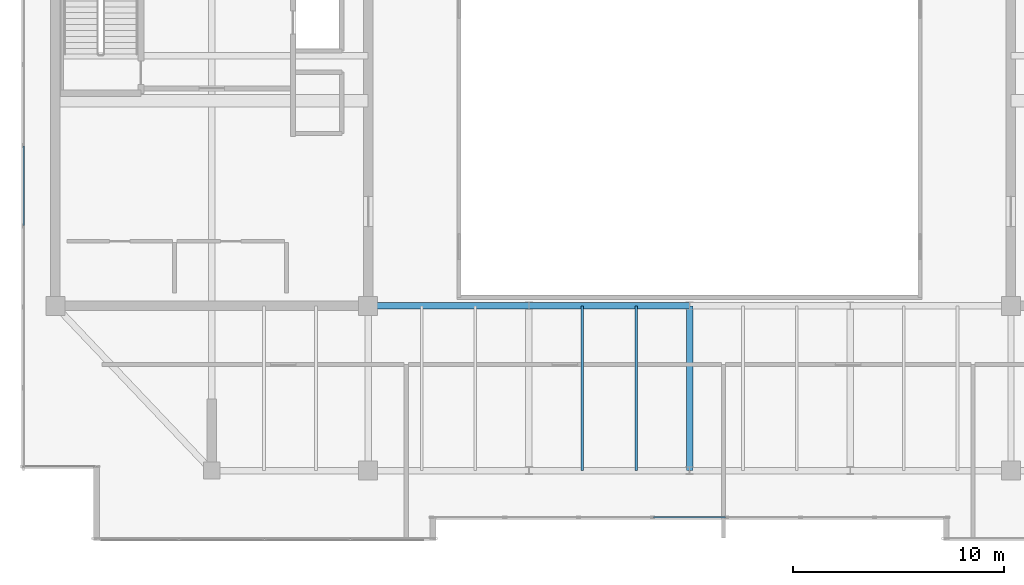
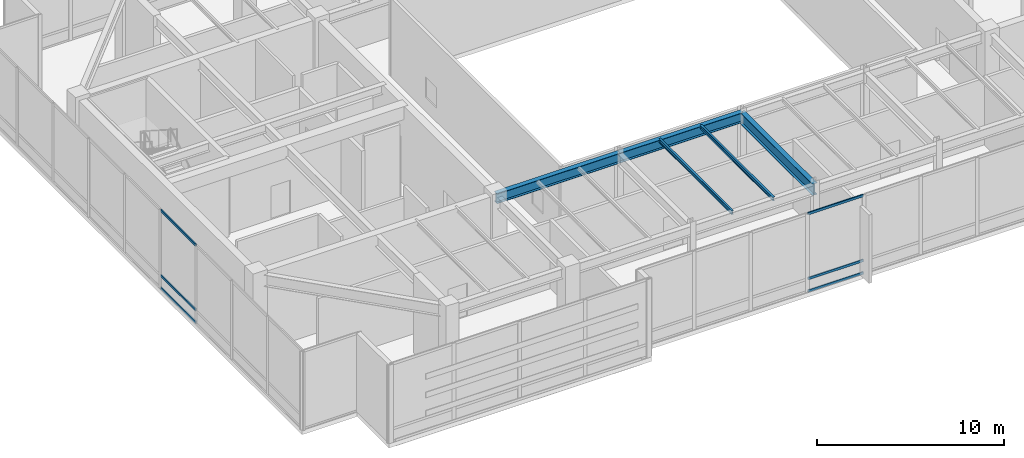
# One storey, part 8 of 30: 6 members, 5 beams, 2 elements without a shape of their own.
"""IFC4 building model written with IfcOpenShell, lengths in metres."""

import ifcopenshell
import ifcopenshell.guid

model = None  # the IFC model being written
_history = None  # IfcOwnerHistory: only IFC2X3 demands one
_inside = {}  # id of a spatial element -> (the spatial element, [elements in it])
_under = {}  # id of a project, library or spatial element -> (it, [spatial elements below it])
_declared = {}  # id of a project -> (the project, [libraries it declares])
_typed = {}  # id of a type object -> (the type object, [elements of that type])
_made_of = {}  # id of a material, layer set ... -> (it, [elements and type objects made of it])


def new_model(schema):
    """Start an empty IFC model of exactly this schema.

    Asked for "IFC4X3", IfcOpenShell would pick the latest addendum, in which some entities
    have other attributes; the version numbers below select the first issue.
    IFC2X3 requires an IfcOwnerHistory on every rooted entity: one is made here for all.
    """
    global model, _history
    if schema == "IFC4X3":
        model = ifcopenshell.file(schema_version=(4, 3, 0, 0))
    else:
        model = ifcopenshell.file(schema=schema)
    _inside.clear()
    _under.clear()
    _declared.clear()
    _typed.clear()
    _made_of.clear()
    _history = None
    if model.schema == "IFC2X3":
        org = make("IfcOrganization", Name="unknown")
        user = make(
            "IfcPersonAndOrganization",
            ThePerson=make("IfcPerson", FamilyName="unknown"),
            TheOrganization=org,
        )
        app = make(
            "IfcApplication",
            ApplicationDeveloper=org,
            Version="unknown",
            ApplicationFullName="unknown",
            ApplicationIdentifier="unknown",
        )
        _history = make(
            "IfcOwnerHistory",
            OwningUser=user,
            OwningApplication=app,
            ChangeAction="ADDED",
            CreationDate=0,
        )
    return model


def make(cls, **values):
    """One entity of the class cls with the attributes given. An attribute that is None is left unset."""
    return model.create_entity(
        cls, **{name: value for name, value in values.items() if value is not None}
    )


def rooted(cls, **values):
    """An entity with a GlobalId (a new one), such as an element, a storey or a relation."""
    return make(cls, GlobalId=ifcopenshell.guid.new(), OwnerHistory=_history, **values)


def si_unit(unit_type, name, prefix=None):
    """IfcSIUnit, for example si_unit("LENGTHUNIT", "METRE", prefix="MILLI")."""
    return make("IfcSIUnit", UnitType=unit_type, Prefix=prefix, Name=name)


def assignment(units):
    """IfcUnitAssignment: the units of a project."""
    return None if units is None else make("IfcUnitAssignment", Units=units)


def point(xyz):
    """IfcCartesianPoint."""
    return None if xyz is None else make("IfcCartesianPoint", Coordinates=xyz)


def direction(xyz):
    """IfcDirection."""
    return None if xyz is None else make("IfcDirection", DirectionRatios=xyz)


def frame(location, z_axis=None, x_axis=None):
    """IfcAxis2Placement3D, a coordinate frame: its origin and axes. An axis left out is left unset."""
    return make(
        "IfcAxis2Placement3D",
        Location=point(location),
        Axis=direction(z_axis),
        RefDirection=direction(x_axis),
    )


def frame_2d(location, x_axis=None):
    """IfcAxis2Placement2D, a coordinate frame in the plane: its origin and x axis."""
    return make(
        "IfcAxis2Placement2D", Location=point(location), RefDirection=direction(x_axis)
    )


def origin():
    """The frame at (0, 0, 0) with its axes left unset."""
    return frame((0.0, 0.0, 0.0))


def origin_2d():
    """The frame at (0, 0) in the plane with its x axis left unset."""
    return frame_2d((0.0, 0.0))


def place(relative_to, where):
    """IfcLocalPlacement: puts the frame where relative to a parent placement (None: the world)."""
    return make(
        "IfcLocalPlacement", PlacementRelTo=relative_to, RelativePlacement=where
    )


def context(
    kind, dimensions, precision=None, world=None, true_north=None, identifier=None
):
    """IfcGeometricRepresentationContext, for example the 3D "Model" context."""
    return make(
        "IfcGeometricRepresentationContext",
        ContextIdentifier=identifier,
        ContextType=kind,
        CoordinateSpaceDimension=dimensions,
        Precision=precision,
        WorldCoordinateSystem=world,
        TrueNorth=true_north,
    )


def subcontext(parent, identifier, kind, view, scale=None):
    """IfcGeometricRepresentationSubContext, for example "Body" below "Model"."""
    return make(
        "IfcGeometricRepresentationSubContext",
        ContextIdentifier=identifier,
        ContextType=kind,
        ParentContext=parent,
        TargetScale=scale,
        TargetView=view,
    )


def project(units=None, contexts=None):
    """IfcProject with its units and contexts."""
    return rooted(
        "IfcProject",
        Name="project",
        RepresentationContexts=contexts,
        UnitsInContext=assignment(units),
    )


def spatial(cls, under=None, at=None, **own):
    """A site, building, storey or space (cls), placed at a placement, below another one or the project."""
    s = rooted(cls, ObjectPlacement=at, **own)
    if under is not None:
        _under.setdefault(under.id(), (under, []))[1].append(s)
    return s


def profile(cls, at=None, kind="AREA", **sizes):
    """A parametric profile (cls). Its sizes go by their IFC names, for example OverallWidth=200.0."""
    return make(cls, ProfileType=kind, Position=at, **sizes)


def hollow_rectangle(**sizes):
    """IfcRectangleHollowProfileDef."""
    return profile("IfcRectangleHollowProfileDef", **sizes)


def i_section(**sizes):
    """IfcIShapeProfileDef."""
    return profile("IfcIShapeProfileDef", **sizes)


def extrude(swept, where, along, depth):
    """IfcExtrudedAreaSolid: the profile swept, set in the frame where, extruded along a direction by depth."""
    return make(
        "IfcExtrudedAreaSolid",
        SweptArea=swept,
        Position=where,
        ExtrudedDirection=direction(along),
        Depth=depth,
    )


def shape(context_of_items, identifier, shape_type, items):
    """IfcShapeRepresentation: the items that make up one representation, for example the "Body"."""
    return make(
        "IfcShapeRepresentation",
        ContextOfItems=context_of_items,
        RepresentationIdentifier=identifier,
        RepresentationType=shape_type,
        Items=items,
    )


def source(mapping_origin, context_of_items, identifier, shape_type, items):
    """IfcRepresentationMap: a shape defined once, which mapped items show again and again."""
    return make(
        "IfcRepresentationMap",
        MappingOrigin=mapping_origin,
        MappedRepresentation=shape(context_of_items, identifier, shape_type, items),
    )


def transform(
    local_origin,
    x_axis=None,
    y_axis=None,
    z_axis=None,
    scale=None,
    scale2=None,
    scale3=None,
    uniform=True,
):
    """IfcCartesianTransformationOperator3D, or its non-uniform kind. x_axis, y_axis, z_axis: its Axis1, 2, 3."""
    if uniform:
        return make(
            "IfcCartesianTransformationOperator3D",
            Axis1=direction(x_axis),
            Axis2=direction(y_axis),
            LocalOrigin=point(local_origin),
            Scale=scale,
            Axis3=direction(z_axis),
        )
    return make(
        "IfcCartesianTransformationOperator3DnonUniform",
        Axis1=direction(x_axis),
        Axis2=direction(y_axis),
        LocalOrigin=point(local_origin),
        Scale=scale,
        Axis3=direction(z_axis),
        Scale2=scale2,
        Scale3=scale3,
    )


def mapped(mapping_source, mapping_target):
    """IfcMappedItem: shows the shape of a source again, moved by a transform."""
    return make(
        "IfcMappedItem", MappingSource=mapping_source, MappingTarget=mapping_target
    )


def material(Name=None, Category=None):
    """IfcMaterial."""
    return make("IfcMaterial", Name=Name, Category=Category)


def layer(
    of_material, thickness, ventilated=None, Name=None, Category=None, Priority=None
):
    """IfcMaterialLayer: one layer of a wall or slab, of a material (None: an air gap)."""
    return make(
        "IfcMaterialLayer",
        Material=of_material,
        LayerThickness=thickness,
        IsVentilated=ventilated,
        Name=Name,
        Category=Category,
        Priority=Priority,
    )


def layer_set(layers, Name=None):
    """IfcMaterialLayerSet."""
    return make("IfcMaterialLayerSet", MaterialLayers=layers, LayerSetName=Name)


def material_profile(
    of_material, cross_section, Name=None, Category=None, Priority=None
):
    """IfcMaterialProfile: a cross section and its material."""
    return make(
        "IfcMaterialProfile",
        Name=Name,
        Material=of_material,
        Profile=cross_section,
        Priority=Priority,
        Category=Category,
    )


def profile_set(profiles, Name=None, composite=None):
    """IfcMaterialProfileSet."""
    return make(
        "IfcMaterialProfileSet",
        Name=Name,
        MaterialProfiles=profiles,
        CompositeProfile=composite,
    )


def made_of(thing, what):
    """Note that an element or type object is made of a material, layer set ...; save() writes the relation."""
    if what is not None:
        _made_of.setdefault(what.id(), (what, []))[1].append(thing)
    return thing


def type_object(cls, material=None, **own):
    """A type object (cls), such as IfcWallType, which elements share."""
    return made_of(rooted(cls, **own), material)


def type_shapes(of_type, sources):
    """Give a type object the sources (RepresentationMaps) that its elements show as mapped items."""
    of_type.RepresentationMaps = sources


def element(
    cls,
    number,
    at=None,
    inside=None,
    cuts=None,
    type_object=None,
    material=None,
    context=None,
    identifier="Body",
    shape_type=None,
    held_by="IfcProductDefinitionShape",
    body=None,
    shapes=None,
    **own,
):
    """One element of the class cls, such as IfcWall. Its Tag is "e" and its number.

    at: its placement. inside: the storey or other place that contains it. cuts: it is an
    opening in that element (IfcRelVoidsElement). A single representation is given by context,
    identifier, shape_type and body (its items); several are given by shapes. held_by: the class
    of the entity that holds the representations. save() writes the other relations.
    """
    e = rooted(cls, Tag="e%d" % number, ObjectPlacement=at, **own)
    if body is not None:
        shapes = [shape(context, identifier, shape_type, body)]
    if shapes is not None:
        e.Representation = make(held_by, Representations=shapes)
    if inside is not None:
        _inside.setdefault(inside.id(), (inside, []))[1].append(e)
    if cuts is not None:
        rooted(
            "IfcRelVoidsElement", RelatingBuildingElement=cuts, RelatedOpeningElement=e
        )
    if type_object is not None:
        _typed.setdefault(type_object.id(), (type_object, []))[1].append(e)
    return made_of(e, material)


def aggregate(whole, parts):
    """IfcRelAggregates: a whole, such as a stair, and the parts it consists of."""
    return rooted("IfcRelAggregates", RelatingObject=whole, RelatedObjects=parts)


def save(model, path):
    """Write the relations noted so far, then the file.

    IfcRelAggregates (storeys below a building ...), IfcRelContainedInSpatialStructure (elements
    in a storey), IfcRelDefinesByType, IfcRelAssociatesMaterial and IfcRelDeclares: one each for
    every whole, place, type object, material and project.
    """
    for whole, parts in _under.values():
        aggregate(whole, parts)
    for where, things in _inside.values():
        rooted(
            "IfcRelContainedInSpatialStructure",
            RelatedElements=things,
            RelatingStructure=where,
        )
    for kind, things in _typed.values():
        rooted("IfcRelDefinesByType", RelatedObjects=things, RelatingType=kind)
    for what, things in _made_of.values():
        rooted("IfcRelAssociatesMaterial", RelatedObjects=things, RelatingMaterial=what)
    for by, libraries in _declared.values():
        rooted("IfcRelDeclares", RelatingContext=by, RelatedDefinitions=libraries)
    model.write(path)


model = new_model("IFC4")

# Units and contexts
model_context = context("Model", 3, precision=1e-05, world=origin(), true_north=direction((0.0, 1.0)))
body_context = subcontext(model_context, "Body", "Model", "MODEL_VIEW")
ifc_project = project(units=[si_unit("LENGTHUNIT", "METRE"), si_unit("AREAUNIT", "SQUARE_METRE"), si_unit("VOLUMEUNIT", "CUBIC_METRE"), si_unit("PLANEANGLEUNIT", "RADIAN"), si_unit("MASSUNIT", "GRAM", prefix="KILO")], contexts=[model_context])

# Site, building, storey
site_placement = place(None, origin())
site = spatial("IfcSite", under=ifc_project, at=site_placement, CompositionType="ELEMENT")
building_placement = place(site_placement, origin())
building = spatial("IfcBuilding", under=site, at=building_placement, Name="Haelvirn Gate Laboratories", CompositionType="ELEMENT")
storey_placement = place(building_placement, frame((0.0, 0.0, 332.39990234375)))
storey = spatial("IfcBuildingStorey", under=building, at=storey_placement, Name="L79", CompositionType="ELEMENT", Elevation=332.39990234375)

# Beams
ifc_material_1 = material(Name="Steel SM355", Category="steel")
ifc_material_profile_1 = material_profile(ifc_material_1, i_section(OverallWidth=0.300048828125, OverallDepth=0.75, WebThickness=0.013916015625, FlangeThickness=0.02392578125, at=origin_2d()), Name="H-750x300x14x24")
ifc_profile_set_1 = profile_set([ifc_material_profile_1], Name="Steel SM355")
beam_type_1 = type_object("IfcBeamType", Name="BM-G-750", PredefinedType="BEAM", material=ifc_profile_set_1)
shared_shape_1 = source(origin(), body_context, "Body", "SweptSolid", [
    extrude(i_section(OverallWidth=0.300048828125, OverallDepth=0.75, WebThickness=0.013916015625, FlangeThickness=0.02392578125, at=origin_2d()), origin(), (0.0, 0.0, 1.0), 7.800048828125),
])
type_shapes(beam_type_1, [shared_shape_1])
beam_1_placement = place(storey_placement, frame((37.39990234375, 7.0, 4.7451171875), z_axis=(0.0, 1.0, 0.0), x_axis=(-1.0, 0.0, 0.0)))
element("IfcBeam", 1, at=beam_1_placement, inside=storey, type_object=beam_type_1, Name="L79 Frame Girder X37.4 (7.0-14.8)", PredefinedType="BEAM", context=body_context, shape_type="MappedRepresentation", body=[
    mapped(shared_shape_1, transform((0.0, 0.0, 0.0), scale=1.0)),
])
ifc_material_profile_2 = material_profile(ifc_material_1, i_section(OverallWidth=0.300048828125, OverallDepth=0.64990234375, WebThickness=0.012939453125, FlangeThickness=0.02197265625, at=origin_2d()), Name="H-650x300x13x22")
ifc_profile_set_2 = profile_set([ifc_material_profile_2], Name="Steel SM355")
beam_type_2 = type_object("IfcBeamType", Name="BM-G-650", PredefinedType="BEAM", material=ifc_profile_set_2)
shared_shape_2 = source(origin(), body_context, "Body", "SweptSolid", [
    extrude(i_section(OverallWidth=0.300048828125, OverallDepth=0.64990234375, WebThickness=0.012939453125, FlangeThickness=0.02197265625, at=origin_2d()), origin(), (0.0, 0.0, 1.0), 7.60009765625),
])
beam_2_placement = place(storey_placement, frame((22.199951171875, 14.800048828125, 4.795166015625), z_axis=(1.0, 0.0, 0.0), x_axis=(0.0, 1.0, 0.0)))
element("IfcBeam", 2, at=beam_2_placement, inside=storey, type_object=beam_type_2, Name="L79 Primary Girder Y14.8 (22.2-29.8)", PredefinedType="BEAM", context=body_context, shape_type="MappedRepresentation", body=[
    mapped(shared_shape_2, transform((0.0, 0.0, 0.0), scale=1.0)),
])
shared_shape_3 = source(origin(), body_context, "Body", "SweptSolid", [
    extrude(i_section(OverallWidth=0.300048828125, OverallDepth=0.64990234375, WebThickness=0.012939453125, FlangeThickness=0.02197265625, at=origin_2d()), origin(), (0.0, 0.0, 1.0), 7.599853515625),
])
type_shapes(beam_type_2, [shared_shape_2, shared_shape_3])
beam_3_placement = place(storey_placement, frame((29.800048828125, 14.800048828125, 4.795166015625), z_axis=(1.0, 0.0, 0.0), x_axis=(0.0, 1.0, 0.0)))
element("IfcBeam", 3, at=beam_3_placement, inside=storey, type_object=beam_type_2, Name="L79 Primary Girder Y14.8 (29.8-37.4)", PredefinedType="BEAM", context=body_context, shape_type="MappedRepresentation", body=[
    mapped(shared_shape_3, transform((0.0, 0.0, 0.0), scale=1.0)),
])
ifc_material_profile_3 = material_profile(ifc_material_1, i_section(OverallWidth=0.125, OverallDepth=0.25, WebThickness=0.006103515625, FlangeThickness=0.009033203125, at=origin_2d()), Name="H-250x125x6x9")
ifc_profile_set_3 = profile_set([ifc_material_profile_3], Name="Steel SM355")
beam_type_3 = type_object("IfcBeamType", Name="BM-J-250", PredefinedType="JOIST", material=ifc_profile_set_3)
shared_shape_4 = source(origin(), body_context, "Body", "SweptSolid", [
    extrude(i_section(OverallWidth=0.125, OverallDepth=0.25, WebThickness=0.006103515625, FlangeThickness=0.009033203125, at=origin_2d()), origin(), (0.0, 0.0, 1.0), 7.800048828125),
])
type_shapes(beam_type_3, [shared_shape_4])
for number, where, z_axis, x_axis, name in (
    (4, (32.330078125, 7.0, 4.9951171875), (0.0, 1.0, 0.0), (-1.0, 0.0, 0.0), "L79 Composite Lab Joist South X32.33"),
    (5, (34.8701171875, 7.0, 4.9951171875), (0.0, 1.0, 0.0), (-1.0, 0.0, 0.0), "L79 Composite Lab Joist South X34.87"),
):
    element("IfcBeam", number, at=place(storey_placement, frame(where, z_axis=z_axis, x_axis=x_axis)), inside=storey, type_object=beam_type_3, Name=name, PredefinedType="JOIST", context=body_context, shape_type="MappedRepresentation", body=[
        mapped(shared_shape_4, transform((0.0, 0.0, 0.0), scale=1.0)),
    ])

# Curtain wall, members
ifc_material_2 = material(Name="Anodised bronze unitised aluminium & triple low-E glass", Category="aluminium")
ifc_layer = layer(ifc_material_2, 0.19189453125, Name="CW-SYS-6")
ifc_layer_set = layer_set([ifc_layer], Name="Anodised bronze unitised aluminium & triple low-E glass")
curtain_wall_type = type_object("IfcCurtainWallType", Name="CW-SYS-6", PredefinedType="NOTDEFINED", material=ifc_layer_set)
curtain_wall_1_placement = place(storey_placement, origin())
curtain_wall_1 = element("IfcCurtainWall", 6, at=curtain_wall_1_placement, inside=storey, type_object=curtain_wall_type, Name="L79 Unitised Curtain Wall CW-L79-P0-E02-1", PredefinedType="NOTDEFINED")
ifc_material_3 = material(Name="Extruded aluminium 6063-T6 (anodised bronze)", Category="aluminium")
ifc_material_profile_4 = material_profile(ifc_material_3, hollow_rectangle(XDim=0.070068359375, YDim=0.159912109375, WallThickness=0.0048828125, at=origin_2d()), Name="CWT-160x70x5")
ifc_profile_set_4 = profile_set([ifc_material_profile_4], Name="Extruded aluminium 6063-T6 (anodised bronze)")
member_type = type_object("IfcMemberType", Name="CWT-T160", PredefinedType="USERDEFINED", material=ifc_profile_set_4)
shared_shape_5 = source(origin(), body_context, "Body", "SweptSolid", [
    extrude(hollow_rectangle(XDim=0.070068359375, YDim=0.159912109375, WallThickness=0.0048828125, at=origin_2d()), origin(), (0.0, 0.0, 1.0), 3.417236328125),
])
member_1_placement = place(storey_placement, frame((35.69140625, 4.800048828125, 0.03515625), z_axis=(1.0, 0.0, 0.0), x_axis=(0.0, 1.0, 0.0)))
member_1 = element("IfcMember", 7, at=member_1_placement, type_object=member_type, Name="CW6 transom 4.1", ObjectType="TRANSOM", PredefinedType="USERDEFINED", context=body_context, shape_type="MappedRepresentation", body=[
    mapped(shared_shape_5, transform((0.0, 0.0, 0.0), scale=1.0)),
])
member_2_placement = place(storey_placement, frame((35.69140625, 4.800048828125, 0.85009765625), z_axis=(1.0, 0.0, 0.0), x_axis=(0.0, 1.0, 0.0)))
member_2 = element("IfcMember", 8, at=member_2_placement, type_object=member_type, Name="CW6 transom 4.2", ObjectType="TRANSOM", PredefinedType="USERDEFINED", context=body_context, shape_type="MappedRepresentation", body=[
    mapped(shared_shape_5, transform((0.0, 0.0, 0.0), scale=1.0)),
])
member_3_placement = place(storey_placement, frame((35.69140625, 4.800048828125, 5.085205078125), z_axis=(1.0, 0.0, 0.0), x_axis=(0.0, 1.0, 0.0)))
member_3 = element("IfcMember", 9, at=member_3_placement, type_object=member_type, Name="CW6 transom 4.3", ObjectType="TRANSOM", PredefinedType="USERDEFINED", context=body_context, shape_type="MappedRepresentation", body=[
    mapped(shared_shape_5, transform((0.0, 0.0, 0.0), scale=1.0)),
])
aggregate(curtain_wall_1, [member_1, member_2, member_3])

curtain_wall_2_placement = place(storey_placement, origin())
curtain_wall_2 = element("IfcCurtainWall", 10, at=curtain_wall_2_placement, inside=storey, type_object=curtain_wall_type, Name="L79 Unitised Curtain Wall CW-L79-P0-E17", PredefinedType="NOTDEFINED")
shared_shape_6 = source(origin(), body_context, "Body", "SweptSolid", [
    extrude(hollow_rectangle(XDim=0.070068359375, YDim=0.159912109375, WallThickness=0.0048828125, at=origin_2d()), origin(), (0.0, 0.0, 1.0), 3.7421875),
])
type_shapes(member_type, [shared_shape_5, shared_shape_6])
member_4_placement = place(storey_placement, frame((5.89990234375, 22.348876953125, 0.03515625), z_axis=(0.0, -1.0, 0.0), x_axis=(1.0, 0.0, 0.0)))
member_4 = element("IfcMember", 11, at=member_4_placement, type_object=member_type, Name="CW6 transom 6.1", ObjectType="TRANSOM", PredefinedType="USERDEFINED", context=body_context, shape_type="MappedRepresentation", body=[
    mapped(shared_shape_6, transform((0.0, 0.0, 0.0), scale=1.0)),
])
member_5_placement = place(storey_placement, frame((5.89990234375, 22.348876953125, 0.85009765625), z_axis=(0.0, -1.0, 0.0), x_axis=(1.0, 0.0, 0.0)))
member_5 = element("IfcMember", 12, at=member_5_placement, type_object=member_type, Name="CW6 transom 6.2", ObjectType="TRANSOM", PredefinedType="USERDEFINED", context=body_context, shape_type="MappedRepresentation", body=[
    mapped(shared_shape_6, transform((0.0, 0.0, 0.0), scale=1.0)),
])
member_6_placement = place(storey_placement, frame((5.89990234375, 22.348876953125, 5.085205078125), z_axis=(0.0, -1.0, 0.0), x_axis=(1.0, 0.0, 0.0)))
member_6 = element("IfcMember", 13, at=member_6_placement, type_object=member_type, Name="CW6 transom 6.3", ObjectType="TRANSOM", PredefinedType="USERDEFINED", context=body_context, shape_type="MappedRepresentation", body=[
    mapped(shared_shape_6, transform((0.0, 0.0, 0.0), scale=1.0)),
])
aggregate(curtain_wall_2, [member_4, member_5, member_6])

save(model, "model.ifc")
